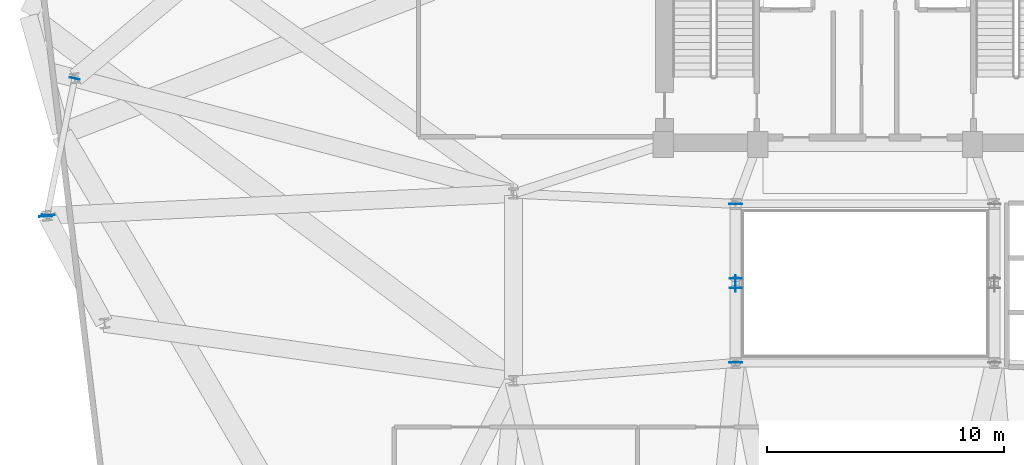
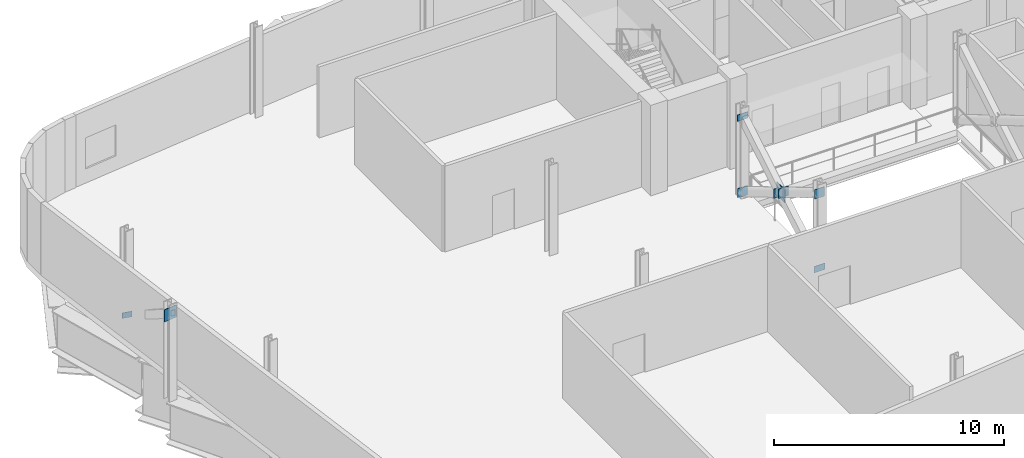
# One storey, part 3 of 11: 10 plates.
"""IFC4 building model written with IfcOpenShell, lengths in metres."""

from ifc_helpers import new_model, si_unit, direction, frame, origin, origin_2d, place, context, subcontext, project, spatial, rectangle, extrude, source, transform, mapped, material, layer, layer_set, type_object, element, save


model = new_model("IFC4")

# Units and contexts
model_context = context("Model", 3, precision=1e-05, world=origin(), true_north=direction((0.0, 1.0)))
body_context = subcontext(model_context, "Body", "Model", "MODEL_VIEW")
ifc_project = project(units=[si_unit("LENGTHUNIT", "METRE"), si_unit("AREAUNIT", "SQUARE_METRE"), si_unit("VOLUMEUNIT", "CUBIC_METRE"), si_unit("PLANEANGLEUNIT", "RADIAN"), si_unit("MASSUNIT", "GRAM", prefix="KILO")], contexts=[model_context])

# Site, building, storey
site_placement = place(None, origin())
site = spatial("IfcSite", under=ifc_project, at=site_placement, CompositionType="ELEMENT")
building_placement = place(site_placement, origin())
building = spatial("IfcBuilding", under=site, at=building_placement, Name="Varnelok Gate Tower", CompositionType="ELEMENT")
storey_placement = place(building_placement, frame((0.0, 0.0, 162.39990234375)))
storey = spatial("IfcBuildingStorey", under=building, at=storey_placement, Name="L41", CompositionType="ELEMENT", Elevation=162.39990234375)

# Plates
ifc_material = material(Name="Structural Steel ASTM A572 Grade 50", Category="steel")
ifc_layer_1 = layer(ifc_material, 0.02490234375)
ifc_layer_set_1 = layer_set([ifc_layer_1], Name="Structural Steel ASTM A572 Grade 50")
plate_type_1 = type_object("IfcPlateType", Name="PLT-ENDCAP-25", PredefinedType="SHEET", material=ifc_layer_set_1)
shared_shape_1 = source(origin(), body_context, "Body", "SweptSolid", [
    extrude(rectangle(XDim=0.02490234375, YDim=0.43994140625, at=origin_2d()), origin(), (0.0, 0.0, 1.0), 0.2900390625),
])
for number, where, z_axis, x_axis, name in (
    (1, (5.9208984375, 31.529541015625, 0.062744140625), (0.0, 0.0, 1.0), (-0.199128487693, -0.979973390143, 0.0), "L41 hollow member sealed end plate 1"),
    (2, (4.748046875, 25.758056640625, 4.04736328125), (0.0, 0.0, 1.0), (-0.199128487693, -0.979973390143, 0.0), "L41 hollow member sealed end plate 2"),
):
    element("IfcPlate", number, at=place(storey_placement, frame(where, z_axis=z_axis, x_axis=x_axis)), inside=storey, type_object=plate_type_1, Name=name, PredefinedType="SHEET", context=body_context, shape_type="MappedRepresentation", body=[
        mapped(shared_shape_1, transform((0.0, 0.0, 0.0), scale=1.0)),
    ])
ifc_layer_2 = layer(ifc_material, 0.031982421875)
ifc_layer_set_2 = layer_set([ifc_layer_2], Name="Structural Steel ASTM A572 Grade 50")
plate_type_2 = type_object("IfcPlateType", Name="PLT-GUSSET-32", PredefinedType="USERDEFINED", material=ifc_layer_set_2)
shared_shape_2 = source(origin(), body_context, "Body", "SweptSolid", [
    extrude(rectangle(XDim=0.64990234375, YDim=0.031982421875, at=origin_2d()), origin(), (0.0, 0.0, 1.0), 0.64990234375),
])
plate_1_placement = place(storey_placement, frame((4.745849609375, 25.746826171875, 3.875244140625), z_axis=(0.0, 0.0, 1.0), x_axis=(0.992732158755, 0.12034475881, 0.0)))
element("IfcPlate", 3, at=plate_1_placement, inside=storey, type_object=plate_type_2, Name="L41 Belt Truss Node Gusset Plate BN-2", ObjectType="GUSSET PLATE", PredefinedType="USERDEFINED", context=body_context, shape_type="MappedRepresentation", body=[
    mapped(shared_shape_2, transform((0.0, 0.0, 0.0), scale=1.0)),
])
shared_shape_3 = source(origin(), body_context, "Body", "SweptSolid", [
    extrude(rectangle(XDim=0.02490234375, YDim=0.5400390625, at=origin_2d()), origin(), (0.0, 0.0, 1.0), 0.340087890625),
])
for number, where, z_axis, x_axis, name in (
    (4, (33.75, 19.561767578125, 0.037109375), (0.0, 0.0, 1.0), (0.0, 1.0, 0.0), "L41 hollow member sealed end plate 1"),
    (5, (33.75, 26.23828125, 4.02294921875), (0.0, 0.0, 1.0), (0.0, 1.0, 0.0), "L41 hollow member sealed end plate 2"),
):
    element("IfcPlate", number, at=place(storey_placement, frame(where, z_axis=z_axis, x_axis=x_axis)), inside=storey, type_object=plate_type_1, Name=name, PredefinedType="SHEET", context=body_context, shape_type="MappedRepresentation", body=[
        mapped(shared_shape_3, transform((0.0, 0.0, 0.0), scale=1.0)),
    ])
shared_shape_4 = source(origin(), body_context, "Body", "SweptSolid", [
    extrude(rectangle(XDim=0.699951171875, YDim=0.031982421875, at=origin_2d()), origin(), (0.0, 0.0, 1.0), 0.699951171875),
])
plate_2_placement = place(storey_placement, frame((33.75, 22.89990234375, 1.85009765625), z_axis=(0.0, 0.0, 1.0), x_axis=(0.0, -1.0, 0.0)))
element("IfcPlate", 6, at=plate_2_placement, inside=storey, type_object=plate_type_2, Name="L41 Outrigger X-Brace Gusset Plate XN-1", ObjectType="GUSSET PLATE", PredefinedType="USERDEFINED", context=body_context, shape_type="MappedRepresentation", body=[
    mapped(shared_shape_4, transform((0.0, 0.0, 0.0), scale=1.0)),
])
shared_shape_5 = source(origin(), body_context, "Body", "SweptSolid", [
    extrude(rectangle(XDim=0.02490234375, YDim=0.5, at=origin_2d()), origin(), (0.0, 0.0, 1.0), 0.5),
])
for number, where, z_axis, x_axis, name in (
    (7, (33.75, 26.23828125, -0.04296875), (0.0, 0.0, 1.0), (0.0, -1.0, 0.0), "L41 hollow member sealed end plate 1"),
    (8, (33.75, 23.1005859375, 1.830322265625), (0.0, 0.0, 1.0), (0.0, -1.0, 0.0), "L41 hollow member sealed end plate 2"),
    (9, (33.75, 22.69921875, 2.06982421875), (0.0, 0.0, 1.0), (0.0, -1.0, 0.0), "L41 hollow member sealed end plate 1"),
    (10, (33.75, 19.561767578125, 3.943115234375), (0.0, 0.0, 1.0), (0.0, -1.0, 0.0), "L41 hollow member sealed end plate 2"),
):
    element("IfcPlate", number, at=place(storey_placement, frame(where, z_axis=z_axis, x_axis=x_axis)), inside=storey, type_object=plate_type_1, Name=name, PredefinedType="SHEET", context=body_context, shape_type="MappedRepresentation", body=[
        mapped(shared_shape_5, transform((0.0, 0.0, 0.0), scale=1.0)),
    ])

save(model, "model.ifc")
